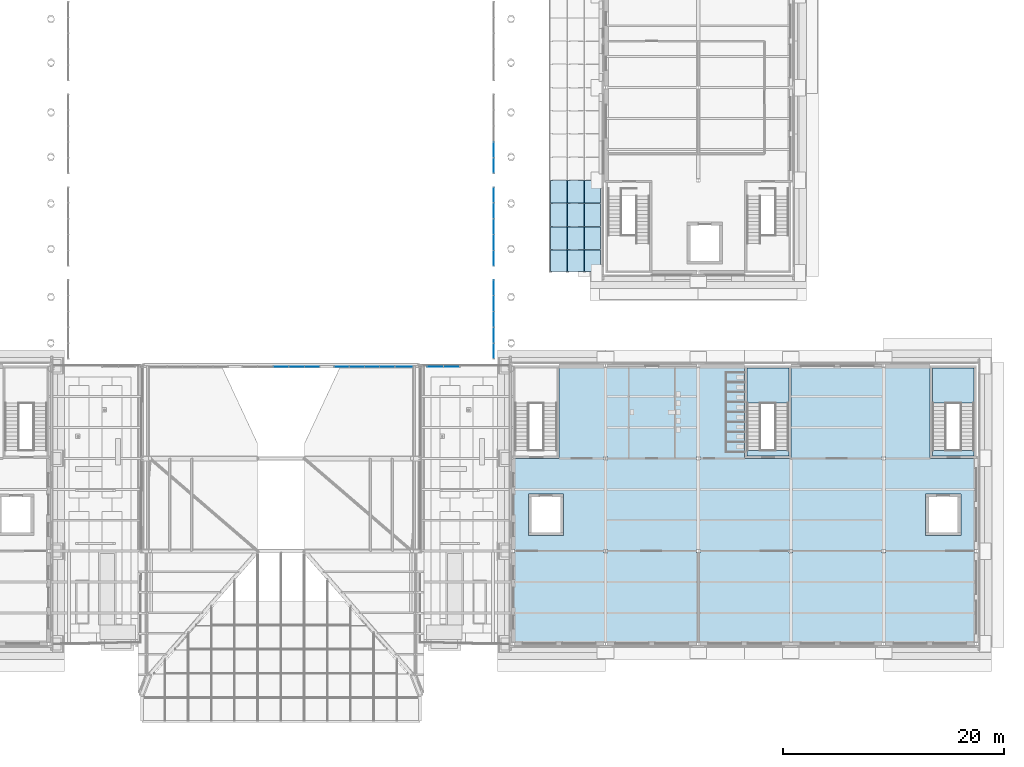
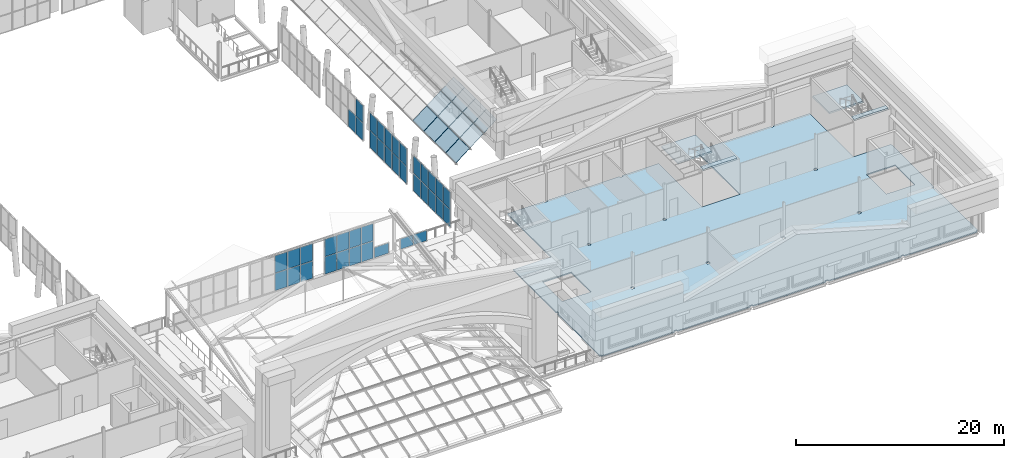
# One storey, part 36 of 76: 52 plates, 5 slabs, 9 elements without a shape of their own.
"""IFC4 building model written with IfcOpenShell, lengths in metres."""

from ifc_helpers import new_model, si_unit, direction, frame, origin, origin_2d, place, context, subcontext, project, spatial, polyline, rectangle, outline, extrude, material, layer, layer_set, type_object, element, aggregate, save


model = new_model("IFC4")

# Units and contexts
model_context = context("Model", 3, precision=1e-05, world=origin(), true_north=direction((0.0, 1.0)))
body_context = subcontext(model_context, "Body", "Model", "MODEL_VIEW")
ifc_project = project(units=[si_unit("LENGTHUNIT", "METRE"), si_unit("AREAUNIT", "SQUARE_METRE"), si_unit("VOLUMEUNIT", "CUBIC_METRE"), si_unit("PLANEANGLEUNIT", "RADIAN"), si_unit("MASSUNIT", "GRAM", prefix="KILO")], contexts=[model_context])

# Site, building, storey
site_placement = place(None, origin())
site = spatial("IfcSite", under=ifc_project, at=site_placement, CompositionType="ELEMENT")
building_placement = place(site_placement, origin())
building = spatial("IfcBuilding", under=site, at=building_placement, Name="Sava Quay Ferry Terminal", CompositionType="ELEMENT")
storey_placement = place(building_placement, frame((0.0, 0.0, 10.800048828125)))
storey = spatial("IfcBuildingStorey", under=building, at=storey_placement, Name="L02", CompositionType="ELEMENT", Elevation=10.800048828125)

# Slab
ifc_material_1 = material(Name="Concrete C30/37", Category="concrete")
ifc_layer_1 = layer(ifc_material_1, 0.1298828125)
ifc_layer_set_1 = layer_set([ifc_layer_1], Name="Concrete C30/37")
slab_type_1 = type_object("IfcSlabType", Name="Composite floor slab 130", PredefinedType="FLOOR", material=ifc_layer_set_1)
slab_1_placement = place(storey_placement, frame((0.0, 0.0, -0.130126953125)))
element("IfcSlab", 1, at=slab_1_placement, inside=storey, type_object=slab_type_1, Name="P floor slab L02", PredefinedType="FLOOR", context=body_context, shape_type="SweptSolid", body=[
    extrude(outline(polyline([(125.840087890625, 25.360107421875), (125.840087890625, 25.199951171875), (117.760009765625, 25.199951171875), (117.760009765625, 25.360107421875), (117.43994140625, 25.360107421875), (117.43994140625, 25.199951171875), (109.360107421875, 25.199951171875), (109.360107421875, 25.360107421875), (109.0400390625, 25.360107421875), (109.0400390625, 25.199951171875), (100.9599609375, 25.199951171875), (100.9599609375, 25.360107421875), (100.639892578125, 25.360107421875), (100.639892578125, 25.199951171875), (92.56005859375, 25.199951171875), (92.56005859375, 25.360107421875), (92.239990234375, 25.360107421875), (92.239990234375, 25.199951171875), (84.139892578125, 25.199951171875), (84.139892578125, 25.340087890625), (84.0, 25.340087890625), (84.0, 33.4599609375), (84.139892578125, 33.4599609375), (84.139892578125, 33.739990234375), (84.0, 33.739990234375), (84.0, 42.0), (88.199951171875, 42.0), (88.199951171875, 50.39990234375), (92.239990234375, 50.39990234375), (92.239990234375, 50.239990234375), (92.56005859375, 50.239990234375), (92.56005859375, 50.39990234375), (100.639892578125, 50.39990234375), (100.639892578125, 50.239990234375), (100.9599609375, 50.239990234375), (100.9599609375, 50.39990234375), (105.0, 50.39990234375), (105.0, 42.0), (109.199951171875, 42.0), (109.199951171875, 50.39990234375), (117.43994140625, 50.39990234375), (117.43994140625, 50.239990234375), (117.760009765625, 50.239990234375), (117.760009765625, 50.39990234375), (121.800048828125, 50.39990234375), (121.800048828125, 42.0), (126.0, 42.0), (126.0, 33.760009765625), (125.840087890625, 33.760009765625), (125.840087890625, 33.43994140625), (126.0, 33.43994140625), (126.0, 25.360107421875), (125.840087890625, 25.360107421875)]), holes=[polyline([(92.239990234375, 33.43994140625), (92.56005859375, 33.43994140625), (92.56005859375, 33.760009765625), (92.239990234375, 33.760009765625), (92.239990234375, 33.43994140625)]), polyline([(88.60009765625, 35.0), (88.60009765625, 38.800048828125), (85.39990234375, 38.800048828125), (85.39990234375, 35.0), (88.60009765625, 35.0)]), polyline([(100.639892578125, 41.840087890625), (100.9599609375, 41.840087890625), (100.9599609375, 42.159912109375), (100.639892578125, 42.159912109375), (100.639892578125, 41.840087890625)]), polyline([(92.239990234375, 41.840087890625), (92.56005859375, 41.840087890625), (92.56005859375, 42.159912109375), (92.239990234375, 42.159912109375), (92.239990234375, 41.840087890625)]), polyline([(100.639892578125, 33.43994140625), (100.9599609375, 33.43994140625), (100.9599609375, 33.760009765625), (100.639892578125, 33.760009765625), (100.639892578125, 33.43994140625)]), polyline([(117.760009765625, 33.43994140625), (117.760009765625, 33.760009765625), (117.43994140625, 33.760009765625), (117.43994140625, 33.43994140625), (117.760009765625, 33.43994140625)]), polyline([(109.0400390625, 33.43994140625), (109.360107421875, 33.43994140625), (109.360107421875, 33.760009765625), (109.0400390625, 33.760009765625), (109.0400390625, 33.43994140625)]), polyline([(121.39990234375, 35.0), (124.60009765625, 35.0), (124.60009765625, 38.800048828125), (121.39990234375, 38.800048828125), (121.39990234375, 35.0)]), polyline([(117.760009765625, 41.840087890625), (117.760009765625, 42.159912109375), (117.43994140625, 42.159912109375), (117.43994140625, 41.840087890625), (117.760009765625, 41.840087890625)])]), origin(), (0.0, 0.0, 1.0), 0.130126953125),
])

# Curtain wall, plates
ifc_material_2 = material(Name="Aluminium and glass curtain wall, double low-e glazed", Category="aluminium")
curtain_wall_type_1 = type_object("IfcCurtainWallType", Name="Curtain wall CW-F flank", PredefinedType="NOTDEFINED", material=ifc_material_2)
curtain_wall_1_placement = place(storey_placement, origin())
curtain_wall_1 = element("IfcCurtainWall", 2, at=curtain_wall_1_placement, inside=storey, type_object=curtain_wall_type_1, Name="Curtain wall D-E L02 bay 1", PredefinedType="NOTDEFINED")
ifc_material_3 = material(Name="Laminated glass, double low-e glazed unit", Category="glass")
ifc_layer_2 = layer(ifc_material_3, 0.028076171875)
ifc_layer_set_2 = layer_set([ifc_layer_2], Name="Laminated glass, double low-e glazed unit")
plate_type_1 = type_object("IfcPlateType", Name="Glass panel 28 double low-e", PredefinedType="CURTAIN_PANEL", material=ifc_layer_set_2)
plate_1_placement = place(storey_placement, frame((82.27490234375, 51.735107421875, 0.050048828125), z_axis=(0.0, 0.0, 1.0), x_axis=(0.0, 1.0, 0.0)))
plate_1 = element("IfcPlate", 3, at=plate_1_placement, type_object=plate_type_1, Name="CW38 panel 1.1", PredefinedType="CURTAIN_PANEL", context=body_context, shape_type="SweptSolid", body=[
    extrude(rectangle(XDim=1.35009765625, YDim=0.028076171875, at=origin_2d()), origin(), (0.0, 0.0, 1.0), 2.02490234375),
])
plate_2_placement = place(storey_placement, frame((82.27490234375, 51.735107421875, 2.125), z_axis=(0.0, 0.0, 1.0), x_axis=(0.0, 1.0, 0.0)))
plate_2 = element("IfcPlate", 4, at=plate_2_placement, type_object=plate_type_1, Name="CW38 panel 1.2", PredefinedType="CURTAIN_PANEL", context=body_context, shape_type="SweptSolid", body=[
    extrude(rectangle(XDim=1.35009765625, YDim=0.028076171875, at=origin_2d()), origin(), (0.0, 0.0, 1.0), 2.02490234375),
])
plate_3_placement = place(storey_placement, frame((82.27490234375, 53.159912109375, 0.050048828125), z_axis=(0.0, 0.0, 1.0), x_axis=(0.0, 1.0, 0.0)))
plate_3 = element("IfcPlate", 5, at=plate_3_placement, type_object=plate_type_1, Name="CW38 panel 2.1", PredefinedType="CURTAIN_PANEL", context=body_context, shape_type="SweptSolid", body=[
    extrude(rectangle(XDim=1.3798828125, YDim=0.028076171875, at=origin_2d()), origin(), (0.0, 0.0, 1.0), 2.02490234375),
])
plate_4_placement = place(storey_placement, frame((82.27490234375, 53.159912109375, 2.125), z_axis=(0.0, 0.0, 1.0), x_axis=(0.0, 1.0, 0.0)))
plate_4 = element("IfcPlate", 6, at=plate_4_placement, type_object=plate_type_1, Name="CW38 panel 2.2", PredefinedType="CURTAIN_PANEL", context=body_context, shape_type="SweptSolid", body=[
    extrude(rectangle(XDim=1.3798828125, YDim=0.028076171875, at=origin_2d()), origin(), (0.0, 0.0, 1.0), 2.02490234375),
])
plate_5_placement = place(storey_placement, frame((82.27490234375, 54.60009765625, 0.050048828125), z_axis=(0.0, 0.0, 1.0), x_axis=(0.0, 1.0, 0.0)))
plate_5 = element("IfcPlate", 7, at=plate_5_placement, type_object=plate_type_1, Name="CW38 panel 3.1", PredefinedType="CURTAIN_PANEL", context=body_context, shape_type="SweptSolid", body=[
    extrude(rectangle(XDim=1.3798828125, YDim=0.028076171875, at=origin_2d()), origin(), (0.0, 0.0, 1.0), 2.02490234375),
])
plate_6_placement = place(storey_placement, frame((82.27490234375, 54.60009765625, 2.125), z_axis=(0.0, 0.0, 1.0), x_axis=(0.0, 1.0, 0.0)))
plate_6 = element("IfcPlate", 8, at=plate_6_placement, type_object=plate_type_1, Name="CW38 panel 3.2", PredefinedType="CURTAIN_PANEL", context=body_context, shape_type="SweptSolid", body=[
    extrude(rectangle(XDim=1.3798828125, YDim=0.028076171875, at=origin_2d()), origin(), (0.0, 0.0, 1.0), 2.02490234375),
])
plate_7_placement = place(storey_placement, frame((82.27490234375, 56.0400390625, 0.050048828125), z_axis=(0.0, 0.0, 1.0), x_axis=(0.0, 1.0, 0.0)))
plate_7 = element("IfcPlate", 9, at=plate_7_placement, type_object=plate_type_1, Name="CW38 panel 4.1", PredefinedType="CURTAIN_PANEL", context=body_context, shape_type="SweptSolid", body=[
    extrude(rectangle(XDim=1.3798828125, YDim=0.028076171875, at=origin_2d()), origin(), (0.0, 0.0, 1.0), 2.02490234375),
])
plate_8_placement = place(storey_placement, frame((82.27490234375, 56.0400390625, 2.125), z_axis=(0.0, 0.0, 1.0), x_axis=(0.0, 1.0, 0.0)))
plate_8 = element("IfcPlate", 10, at=plate_8_placement, type_object=plate_type_1, Name="CW38 panel 4.2", PredefinedType="CURTAIN_PANEL", context=body_context, shape_type="SweptSolid", body=[
    extrude(rectangle(XDim=1.3798828125, YDim=0.028076171875, at=origin_2d()), origin(), (0.0, 0.0, 1.0), 2.02490234375),
])
plate_9_placement = place(storey_placement, frame((82.27490234375, 57.465087890625, 0.050048828125), z_axis=(0.0, 0.0, 1.0), x_axis=(0.0, 1.0, 0.0)))
plate_9 = element("IfcPlate", 11, at=plate_9_placement, type_object=plate_type_1, Name="CW38 panel 5.1", PredefinedType="CURTAIN_PANEL", context=body_context, shape_type="SweptSolid", body=[
    extrude(rectangle(XDim=1.35009765625, YDim=0.028076171875, at=origin_2d()), origin(), (0.0, 0.0, 1.0), 2.02490234375),
])
plate_10_placement = place(storey_placement, frame((82.27490234375, 57.465087890625, 2.125), z_axis=(0.0, 0.0, 1.0), x_axis=(0.0, 1.0, 0.0)))
plate_10 = element("IfcPlate", 12, at=plate_10_placement, type_object=plate_type_1, Name="CW38 panel 5.2", PredefinedType="CURTAIN_PANEL", context=body_context, shape_type="SweptSolid", body=[
    extrude(rectangle(XDim=1.35009765625, YDim=0.028076171875, at=origin_2d()), origin(), (0.0, 0.0, 1.0), 2.02490234375),
])
aggregate(curtain_wall_1, [plate_1, plate_2, plate_3, plate_4, plate_5, plate_6, plate_7, plate_8, plate_9, plate_10])

curtain_wall_2_placement = place(storey_placement, origin())
curtain_wall_2 = element("IfcCurtainWall", 13, at=curtain_wall_2_placement, inside=storey, type_object=curtain_wall_type_1, Name="Curtain wall D-E L02 bay 2", PredefinedType="NOTDEFINED")
plate_11_placement = place(storey_placement, frame((82.27490234375, 60.135009765625, 0.050048828125), z_axis=(0.0, 0.0, 1.0), x_axis=(0.0, 1.0, 0.0)))
plate_11 = element("IfcPlate", 14, at=plate_11_placement, type_object=plate_type_1, Name="CW42 panel 1.1", PredefinedType="CURTAIN_PANEL", context=body_context, shape_type="SweptSolid", body=[
    extrude(rectangle(XDim=1.35009765625, YDim=0.028076171875, at=origin_2d()), origin(), (0.0, 0.0, 1.0), 2.02490234375),
])
plate_12_placement = place(storey_placement, frame((82.27490234375, 60.135009765625, 2.125), z_axis=(0.0, 0.0, 1.0), x_axis=(0.0, 1.0, 0.0)))
plate_12 = element("IfcPlate", 15, at=plate_12_placement, type_object=plate_type_1, Name="CW42 panel 1.2", PredefinedType="CURTAIN_PANEL", context=body_context, shape_type="SweptSolid", body=[
    extrude(rectangle(XDim=1.35009765625, YDim=0.028076171875, at=origin_2d()), origin(), (0.0, 0.0, 1.0), 2.02490234375),
])
plate_13_placement = place(storey_placement, frame((82.27490234375, 61.56005859375, 0.050048828125), z_axis=(0.0, 0.0, 1.0), x_axis=(0.0, 1.0, 0.0)))
plate_13 = element("IfcPlate", 16, at=plate_13_placement, type_object=plate_type_1, Name="CW42 panel 2.1", PredefinedType="CURTAIN_PANEL", context=body_context, shape_type="SweptSolid", body=[
    extrude(rectangle(XDim=1.3798828125, YDim=0.028076171875, at=origin_2d()), origin(), (0.0, 0.0, 1.0), 2.02490234375),
])
plate_14_placement = place(storey_placement, frame((82.27490234375, 61.56005859375, 2.125), z_axis=(0.0, 0.0, 1.0), x_axis=(0.0, 1.0, 0.0)))
plate_14 = element("IfcPlate", 17, at=plate_14_placement, type_object=plate_type_1, Name="CW42 panel 2.2", PredefinedType="CURTAIN_PANEL", context=body_context, shape_type="SweptSolid", body=[
    extrude(rectangle(XDim=1.3798828125, YDim=0.028076171875, at=origin_2d()), origin(), (0.0, 0.0, 1.0), 2.02490234375),
])
plate_15_placement = place(storey_placement, frame((82.27490234375, 63.0, 0.050048828125), z_axis=(0.0, 0.0, 1.0), x_axis=(0.0, 1.0, 0.0)))
plate_15 = element("IfcPlate", 18, at=plate_15_placement, type_object=plate_type_1, Name="CW42 panel 3.1", PredefinedType="CURTAIN_PANEL", context=body_context, shape_type="SweptSolid", body=[
    extrude(rectangle(XDim=1.3798828125, YDim=0.028076171875, at=origin_2d()), origin(), (0.0, 0.0, 1.0), 2.02490234375),
])
plate_16_placement = place(storey_placement, frame((82.27490234375, 63.0, 2.125), z_axis=(0.0, 0.0, 1.0), x_axis=(0.0, 1.0, 0.0)))
plate_16 = element("IfcPlate", 19, at=plate_16_placement, type_object=plate_type_1, Name="CW42 panel 3.2", PredefinedType="CURTAIN_PANEL", context=body_context, shape_type="SweptSolid", body=[
    extrude(rectangle(XDim=1.3798828125, YDim=0.028076171875, at=origin_2d()), origin(), (0.0, 0.0, 1.0), 2.02490234375),
])
plate_17_placement = place(storey_placement, frame((82.27490234375, 64.43994140625, 0.050048828125), z_axis=(0.0, 0.0, 1.0), x_axis=(0.0, 1.0, 0.0)))
plate_17 = element("IfcPlate", 20, at=plate_17_placement, type_object=plate_type_1, Name="CW42 panel 4.1", PredefinedType="CURTAIN_PANEL", context=body_context, shape_type="SweptSolid", body=[
    extrude(rectangle(XDim=1.3798828125, YDim=0.028076171875, at=origin_2d()), origin(), (0.0, 0.0, 1.0), 2.02490234375),
])
plate_18_placement = place(storey_placement, frame((82.27490234375, 64.43994140625, 2.125), z_axis=(0.0, 0.0, 1.0), x_axis=(0.0, 1.0, 0.0)))
plate_18 = element("IfcPlate", 21, at=plate_18_placement, type_object=plate_type_1, Name="CW42 panel 4.2", PredefinedType="CURTAIN_PANEL", context=body_context, shape_type="SweptSolid", body=[
    extrude(rectangle(XDim=1.3798828125, YDim=0.028076171875, at=origin_2d()), origin(), (0.0, 0.0, 1.0), 2.02490234375),
])
plate_19_placement = place(storey_placement, frame((82.27490234375, 65.864990234375, 0.050048828125), z_axis=(0.0, 0.0, 1.0), x_axis=(0.0, 1.0, 0.0)))
plate_19 = element("IfcPlate", 22, at=plate_19_placement, type_object=plate_type_1, Name="CW42 panel 5.1", PredefinedType="CURTAIN_PANEL", context=body_context, shape_type="SweptSolid", body=[
    extrude(rectangle(XDim=1.35009765625, YDim=0.028076171875, at=origin_2d()), origin(), (0.0, 0.0, 1.0), 2.02490234375),
])
plate_20_placement = place(storey_placement, frame((82.27490234375, 65.864990234375, 2.125), z_axis=(0.0, 0.0, 1.0), x_axis=(0.0, 1.0, 0.0)))
plate_20 = element("IfcPlate", 23, at=plate_20_placement, type_object=plate_type_1, Name="CW42 panel 5.2", PredefinedType="CURTAIN_PANEL", context=body_context, shape_type="SweptSolid", body=[
    extrude(rectangle(XDim=1.35009765625, YDim=0.028076171875, at=origin_2d()), origin(), (0.0, 0.0, 1.0), 2.02490234375),
])
aggregate(curtain_wall_2, [plate_11, plate_12, plate_13, plate_14, plate_15, plate_16, plate_17, plate_18, plate_19, plate_20])

curtain_wall_3_placement = place(storey_placement, origin())
curtain_wall_3 = element("IfcCurtainWall", 24, at=curtain_wall_3_placement, inside=storey, type_object=curtain_wall_type_1, Name="Curtain wall D-E L02 bay 3", PredefinedType="NOTDEFINED")
plate_21_placement = place(storey_placement, frame((82.27490234375, 68.534912109375, 0.050048828125), z_axis=(0.0, 0.0, 1.0), x_axis=(0.0, 1.0, 0.0)))
plate_21 = element("IfcPlate", 25, at=plate_21_placement, type_object=plate_type_1, Name="CW46 panel 1.1", PredefinedType="CURTAIN_PANEL", context=body_context, shape_type="SweptSolid", body=[
    extrude(rectangle(XDim=1.35009765625, YDim=0.028076171875, at=origin_2d()), origin(), (0.0, 0.0, 1.0), 2.02490234375),
])
plate_22_placement = place(storey_placement, frame((82.27490234375, 68.534912109375, 2.125), z_axis=(0.0, 0.0, 1.0), x_axis=(0.0, 1.0, 0.0)))
plate_22 = element("IfcPlate", 26, at=plate_22_placement, type_object=plate_type_1, Name="CW46 panel 1.2", PredefinedType="CURTAIN_PANEL", context=body_context, shape_type="SweptSolid", body=[
    extrude(rectangle(XDim=1.35009765625, YDim=0.028076171875, at=origin_2d()), origin(), (0.0, 0.0, 1.0), 2.02490234375),
])
plate_23_placement = place(storey_placement, frame((82.27490234375, 69.9599609375, 0.050048828125), z_axis=(0.0, 0.0, 1.0), x_axis=(0.0, 1.0, 0.0)))
plate_23 = element("IfcPlate", 27, at=plate_23_placement, type_object=plate_type_1, Name="CW46 panel 2.1", PredefinedType="CURTAIN_PANEL", context=body_context, shape_type="SweptSolid", body=[
    extrude(rectangle(XDim=1.3798828125, YDim=0.028076171875, at=origin_2d()), origin(), (0.0, 0.0, 1.0), 2.02490234375),
])
aggregate(curtain_wall_3, [plate_21, plate_22, plate_23])

ifc_material_4 = material(Name="Aluminium and glass curtain wall, double low-e glazed", Category="aluminium")
curtain_wall_type_2 = type_object("IfcCurtainWallType", Name="Curtain wall CW-G gable", PredefinedType="NOTDEFINED", material=ifc_material_4)
curtain_wall_4_placement = place(storey_placement, origin())
curtain_wall_4 = element("IfcCurtainWall", 28, at=curtain_wall_4_placement, inside=storey, type_object=curtain_wall_type_2, Name="Curtain wall D-S L02 bay 31", PredefinedType="NOTDEFINED")
plate_24_placement = place(storey_placement, frame((63.0, 50.31494140625, 0.050048828125), z_axis=(0.0, 0.0, 1.0), x_axis=(1.0, 0.0, 0.0)))
plate_24 = element("IfcPlate", 29, at=plate_24_placement, type_object=plate_type_1, Name="CW91 panel 3.1", PredefinedType="CURTAIN_PANEL", context=body_context, shape_type="SweptSolid", body=[
    extrude(rectangle(XDim=1.35205078125, YDim=0.028076171875, at=origin_2d()), origin(), (0.0, 0.0, 1.0), 2.02490234375),
])
plate_25_placement = place(storey_placement, frame((63.0, 50.31494140625, 2.125), z_axis=(0.0, 0.0, 1.0), x_axis=(1.0, 0.0, 0.0)))
plate_25 = element("IfcPlate", 30, at=plate_25_placement, type_object=plate_type_1, Name="CW91 panel 3.2", PredefinedType="CURTAIN_PANEL", context=body_context, shape_type="SweptSolid", body=[
    extrude(rectangle(XDim=1.35205078125, YDim=0.028076171875, at=origin_2d()), origin(), (0.0, 0.0, 1.0), 2.02490234375),
])
plate_26_placement = place(storey_placement, frame((64.412109375, 50.31494140625, 0.050048828125), z_axis=(0.0, 0.0, 1.0), x_axis=(1.0, 0.0, 0.0)))
plate_26 = element("IfcPlate", 31, at=plate_26_placement, type_object=plate_type_1, Name="CW91 panel 4.1", PredefinedType="CURTAIN_PANEL", context=body_context, shape_type="SweptSolid", body=[
    extrude(rectangle(XDim=1.35205078125, YDim=0.028076171875, at=origin_2d()), origin(), (0.0, 0.0, 1.0), 2.02490234375),
])
plate_27_placement = place(storey_placement, frame((64.412109375, 50.31494140625, 2.125), z_axis=(0.0, 0.0, 1.0), x_axis=(1.0, 0.0, 0.0)))
plate_27 = element("IfcPlate", 32, at=plate_27_placement, type_object=plate_type_1, Name="CW91 panel 4.2", PredefinedType="CURTAIN_PANEL", context=body_context, shape_type="SweptSolid", body=[
    extrude(rectangle(XDim=1.35205078125, YDim=0.028076171875, at=origin_2d()), origin(), (0.0, 0.0, 1.0), 2.02490234375),
])
plate_28_placement = place(storey_placement, frame((65.80908203125, 50.31494140625, 0.050048828125), z_axis=(0.0, 0.0, 1.0), x_axis=(1.0, 0.0, 0.0)))
plate_28 = element("IfcPlate", 33, at=plate_28_placement, type_object=plate_type_1, Name="CW91 panel 5.1", PredefinedType="CURTAIN_PANEL", context=body_context, shape_type="SweptSolid", body=[
    extrude(rectangle(XDim=1.322021484375, YDim=0.028076171875, at=origin_2d()), origin(), (0.0, 0.0, 1.0), 2.02490234375),
])
plate_29_placement = place(storey_placement, frame((65.80908203125, 50.31494140625, 2.125), z_axis=(0.0, 0.0, 1.0), x_axis=(1.0, 0.0, 0.0)))
plate_29 = element("IfcPlate", 34, at=plate_29_placement, type_object=plate_type_1, Name="CW91 panel 5.2", PredefinedType="CURTAIN_PANEL", context=body_context, shape_type="SweptSolid", body=[
    extrude(rectangle(XDim=1.322021484375, YDim=0.028076171875, at=origin_2d()), origin(), (0.0, 0.0, 1.0), 2.02490234375),
])
aggregate(curtain_wall_4, [plate_24, plate_25, plate_26, plate_27, plate_28, plate_29])

curtain_wall_5_placement = place(storey_placement, origin())
curtain_wall_5 = element("IfcCurtainWall", 35, at=curtain_wall_5_placement, inside=storey, type_object=curtain_wall_type_2, Name="Curtain wall D-S L02 bay 41", PredefinedType="NOTDEFINED")
plate_30_placement = place(storey_placement, frame((68.50244140625, 50.31494140625, 0.050048828125), z_axis=(0.0, 0.0, 1.0), x_axis=(1.0, 0.0, 0.0)))
plate_30 = element("IfcPlate", 36, at=plate_30_placement, type_object=plate_type_1, Name="CW93 panel 1.1", PredefinedType="CURTAIN_PANEL", context=body_context, shape_type="SweptSolid", body=[
    extrude(rectangle(XDim=1.284912109375, YDim=0.028076171875, at=origin_2d()), origin(), (0.0, 0.0, 1.0), 2.02490234375),
])
plate_31_placement = place(storey_placement, frame((68.50244140625, 50.31494140625, 2.125), z_axis=(0.0, 0.0, 1.0), x_axis=(1.0, 0.0, 0.0)))
plate_31 = element("IfcPlate", 37, at=plate_31_placement, type_object=plate_type_1, Name="CW93 panel 1.2", PredefinedType="CURTAIN_PANEL", context=body_context, shape_type="SweptSolid", body=[
    extrude(rectangle(XDim=1.284912109375, YDim=0.028076171875, at=origin_2d()), origin(), (0.0, 0.0, 1.0), 2.02490234375),
])
plate_32_placement = place(storey_placement, frame((69.862548828125, 50.31494140625, 0.050048828125), z_axis=(0.0, 0.0, 1.0), x_axis=(1.0, 0.0, 0.0)))
plate_32 = element("IfcPlate", 38, at=plate_32_placement, type_object=plate_type_1, Name="CW93 panel 2.1", PredefinedType="CURTAIN_PANEL", context=body_context, shape_type="SweptSolid", body=[
    extrude(rectangle(XDim=1.31494140625, YDim=0.028076171875, at=origin_2d()), origin(), (0.0, 0.0, 1.0), 2.02490234375),
])
plate_33_placement = place(storey_placement, frame((69.862548828125, 50.31494140625, 2.125), z_axis=(0.0, 0.0, 1.0), x_axis=(1.0, 0.0, 0.0)))
plate_33 = element("IfcPlate", 39, at=plate_33_placement, type_object=plate_type_1, Name="CW93 panel 2.2", PredefinedType="CURTAIN_PANEL", context=body_context, shape_type="SweptSolid", body=[
    extrude(rectangle(XDim=1.31494140625, YDim=0.028076171875, at=origin_2d()), origin(), (0.0, 0.0, 1.0), 2.02490234375),
])
plate_34_placement = place(storey_placement, frame((71.237548828125, 50.31494140625, 0.050048828125), z_axis=(0.0, 0.0, 1.0), x_axis=(1.0, 0.0, 0.0)))
plate_34 = element("IfcPlate", 40, at=plate_34_placement, type_object=plate_type_1, Name="CW93 panel 3.1", PredefinedType="CURTAIN_PANEL", context=body_context, shape_type="SweptSolid", body=[
    extrude(rectangle(XDim=1.31494140625, YDim=0.028076171875, at=origin_2d()), origin(), (0.0, 0.0, 1.0), 2.02490234375),
])
plate_35_placement = place(storey_placement, frame((71.237548828125, 50.31494140625, 2.125), z_axis=(0.0, 0.0, 1.0), x_axis=(1.0, 0.0, 0.0)))
plate_35 = element("IfcPlate", 41, at=plate_35_placement, type_object=plate_type_1, Name="CW93 panel 3.2", PredefinedType="CURTAIN_PANEL", context=body_context, shape_type="SweptSolid", body=[
    extrude(rectangle(XDim=1.31494140625, YDim=0.028076171875, at=origin_2d()), origin(), (0.0, 0.0, 1.0), 2.02490234375),
])
plate_36_placement = place(storey_placement, frame((72.597412109375, 50.31494140625, 0.050048828125), z_axis=(0.0, 0.0, 1.0), x_axis=(1.0, 0.0, 0.0)))
plate_36 = element("IfcPlate", 42, at=plate_36_placement, type_object=plate_type_1, Name="CW93 panel 4.1", PredefinedType="CURTAIN_PANEL", context=body_context, shape_type="SweptSolid", body=[
    extrude(rectangle(XDim=1.284912109375, YDim=0.028076171875, at=origin_2d()), origin(), (0.0, 0.0, 1.0), 2.02490234375),
])
plate_37_placement = place(storey_placement, frame((72.597412109375, 50.31494140625, 2.125), z_axis=(0.0, 0.0, 1.0), x_axis=(1.0, 0.0, 0.0)))
plate_37 = element("IfcPlate", 43, at=plate_37_placement, type_object=plate_type_1, Name="CW93 panel 4.2", PredefinedType="CURTAIN_PANEL", context=body_context, shape_type="SweptSolid", body=[
    extrude(rectangle(XDim=1.284912109375, YDim=0.028076171875, at=origin_2d()), origin(), (0.0, 0.0, 1.0), 2.02490234375),
])
aggregate(curtain_wall_5, [plate_30, plate_31, plate_32, plate_33, plate_34, plate_35, plate_36, plate_37])

# Curtain wall, plate
curtain_wall_6_placement = place(storey_placement, origin())
curtain_wall_6 = element("IfcCurtainWall", 44, at=curtain_wall_6_placement, inside=storey, type_object=curtain_wall_type_2, Name="Curtain wall D-S L02 bay 51", PredefinedType="NOTDEFINED")
plate_38_placement = place(storey_placement, frame((74.14990234375, 50.31494140625, 0.0498046875), z_axis=(0.0, 0.0, 1.0), x_axis=(1.0, 0.0, 0.0)))
plate_38 = element("IfcPlate", 45, at=plate_38_placement, type_object=plate_type_1, Name="CW94 panel 1.1", PredefinedType="CURTAIN_PANEL", context=body_context, shape_type="SweptSolid", body=[
    extrude(rectangle(XDim=1.580078125, YDim=0.028076171875, at=origin_2d()), origin(), (0.0, 0.0, 1.0), 1.199951171875),
])
aggregate(curtain_wall_6, [plate_38])

# Curtain wall, plates
curtain_wall_7_placement = place(storey_placement, origin())
curtain_wall_7 = element("IfcCurtainWall", 46, at=curtain_wall_7_placement, inside=storey, type_object=curtain_wall_type_2, Name="Curtain wall D-S L02 bay 52", PredefinedType="NOTDEFINED")
plate_39_placement = place(storey_placement, frame((76.969970703125, 50.31494140625, 0.0498046875), z_axis=(0.0, 0.0, 1.0), x_axis=(1.0, 0.0, 0.0)))
plate_39 = element("IfcPlate", 47, at=plate_39_placement, type_object=plate_type_1, Name="CW95 panel 1.1", PredefinedType="CURTAIN_PANEL", context=body_context, shape_type="SweptSolid", body=[
    extrude(rectangle(XDim=1.419921875, YDim=0.028076171875, at=origin_2d()), origin(), (0.0, 0.0, 1.0), 1.199951171875),
])
plate_40_placement = place(storey_placement, frame((78.449951171875, 50.31494140625, 0.0498046875), z_axis=(0.0, 0.0, 1.0), x_axis=(1.0, 0.0, 0.0)))
plate_40 = element("IfcPlate", 48, at=plate_40_placement, type_object=plate_type_1, Name="CW95 panel 2.1", PredefinedType="CURTAIN_PANEL", context=body_context, shape_type="SweptSolid", body=[
    extrude(rectangle(XDim=1.419921875, YDim=0.028076171875, at=origin_2d()), origin(), (0.0, 0.0, 1.0), 1.199951171875),
])
aggregate(curtain_wall_7, [plate_39, plate_40])

# Plates
ifc_material_5 = material(Name="Laminated glass", Category="glass")
ifc_layer_3 = layer(ifc_material_5, 0.0400390625)
ifc_layer_set_3 = layer_set([ifc_layer_3], Name="Laminated glass")
plate_type_2 = type_object("IfcPlateType", Name="Skylight glass 40", PredefinedType="SHEET", material=ifc_layer_set_3)
for number, where, z_axis, x_axis, name in (
    (49, (87.39599609375, 67.179931640625, 1.029296875), (-0.617810385509, 0.0, 0.786327112312), (0.786327112312, 0.0, 0.617810385509), "Passage roof glass PS-F-K20.2"),
    (50, (88.946044921875, 67.179931640625, 2.247314453125), (-0.617810385509, 0.0, 0.786327112312), (0.786327112312, 0.0, 0.617810385509), "Passage roof glass PS-F-K20.3"),
):
    element("IfcPlate", number, at=place(storey_placement, frame(where, z_axis=z_axis, x_axis=x_axis)), inside=storey, type_object=plate_type_2, Name=name, PredefinedType="SHEET", context=body_context, shape_type="SweptSolid", body=[
        extrude(outline(polyline([(0.0, 0.0), (1.9311997052158885, 0.0), (1.9311997052158885, -2.059814453125), (0.0, -2.059814453125), (0.0, 0.0)])), origin(), (0.0, 0.0, -1.0), 0.0400390625),
    ])
plate_41_placement = place(storey_placement, frame((90.495849609375, 65.1201171875, 3.465087890625), z_axis=(-0.617821551932, 0.0, 0.786318338822), x_axis=(0.0, 1.0, 0.0)))
element("IfcPlate", 51, at=plate_41_placement, inside=storey, type_object=plate_type_2, Name="Passage roof glass PS-F-K20.4", PredefinedType="SHEET", context=body_context, shape_type="SweptSolid", body=[
    extrude(outline(polyline([(0.0, 0.0), (2.059814453125, 0.0), (2.059814453125, -1.816962503557546), (0.0, -1.816962503557546), (0.0, 0.0)])), origin(), (0.0, 0.0, -1.0), 0.0400390625),
])
for number, where, z_axis, x_axis, name in (
    (52, (87.39599609375, 65.080078125, 1.029296875), (-0.617810385509, 0.0, 0.786327112312), (0.786327112312, 0.0, 0.617810385509), "Passage roof glass PS-F-K21.2"),
    (53, (88.946044921875, 65.080078125, 2.247314453125), (-0.617810385509, 0.0, 0.786327112312), (0.786327112312, 0.0, 0.617810385509), "Passage roof glass PS-F-K21.3"),
):
    element("IfcPlate", number, at=place(storey_placement, frame(where, z_axis=z_axis, x_axis=x_axis)), inside=storey, type_object=plate_type_2, Name=name, PredefinedType="SHEET", context=body_context, shape_type="SweptSolid", body=[
        extrude(outline(polyline([(0.0, 0.0), (1.9311997052158885, 0.0), (1.9311997052158885, -2.06005859375), (0.0, -2.06005859375), (0.0, 0.0)])), origin(), (0.0, 0.0, -1.0), 0.0400390625),
    ])
plate_42_placement = place(storey_placement, frame((90.495849609375, 63.02001953125, 3.465087890625), z_axis=(-0.617821551932, 0.0, 0.786318338822), x_axis=(0.0, 1.0, 0.0)))
element("IfcPlate", 54, at=plate_42_placement, inside=storey, type_object=plate_type_2, Name="Passage roof glass PS-F-K21.4", PredefinedType="SHEET", context=body_context, shape_type="SweptSolid", body=[
    extrude(outline(polyline([(0.0, 0.0), (2.06005859375, 0.0), (2.06005859375, -1.8169625035575463), (0.0, -1.8169625035575463), (0.0, 0.0)])), origin(), (0.0, 0.0, -1.0), 0.0400390625),
])
for number, where, z_axis, x_axis, name in (
    (55, (87.39599609375, 62.97998046875, 1.029296875), (-0.617810385509, 0.0, 0.786327112312), (0.786327112312, 0.0, 0.617810385509), "Passage roof glass PS-F-K22.2"),
    (56, (88.946044921875, 62.97998046875, 2.247314453125), (-0.617810385509, 0.0, 0.786327112312), (0.786327112312, 0.0, 0.617810385509), "Passage roof glass PS-F-K22.3"),
):
    element("IfcPlate", number, at=place(storey_placement, frame(where, z_axis=z_axis, x_axis=x_axis)), inside=storey, type_object=plate_type_2, Name=name, PredefinedType="SHEET", context=body_context, shape_type="SweptSolid", body=[
        extrude(outline(polyline([(0.0, 0.0), (1.9311997052158885, 0.0), (1.9311997052158885, -2.06005859375), (0.0, -2.06005859375), (0.0, 0.0)])), origin(), (0.0, 0.0, -1.0), 0.0400390625),
    ])
plate_43_placement = place(storey_placement, frame((90.495849609375, 60.919921875, 3.465087890625), z_axis=(-0.617821551932, 0.0, 0.786318338822), x_axis=(0.0, 1.0, 0.0)))
element("IfcPlate", 57, at=plate_43_placement, inside=storey, type_object=plate_type_2, Name="Passage roof glass PS-F-K22.4", PredefinedType="SHEET", context=body_context, shape_type="SweptSolid", body=[
    extrude(outline(polyline([(0.0, 0.0), (2.06005859375, 0.0), (2.06005859375, -1.8169625035575463), (0.0, -1.8169625035575463), (0.0, 0.0)])), origin(), (0.0, 0.0, -1.0), 0.0400390625),
])
for number, where, z_axis, x_axis, name in (
    (58, (87.39599609375, 60.8798828125, 1.029296875), (-0.617810385509, 0.0, 0.786327112312), (0.786327112312, 0.0, 0.617810385509), "Passage roof glass PS-F-K23.2"),
    (59, (88.946044921875, 60.8798828125, 2.247314453125), (-0.617810385509, 0.0, 0.786327112312), (0.786327112312, 0.0, 0.617810385509), "Passage roof glass PS-F-K23.3"),
):
    element("IfcPlate", number, at=place(storey_placement, frame(where, z_axis=z_axis, x_axis=x_axis)), inside=storey, type_object=plate_type_2, Name=name, PredefinedType="SHEET", context=body_context, shape_type="SweptSolid", body=[
        extrude(outline(polyline([(0.0, 0.0), (1.9311997052158885, 0.0), (1.9311997052158885, -1.945556640625), (0.0, -1.945556640625), (0.0, 0.0)])), origin(), (0.0, 0.0, -1.0), 0.0400390625),
    ])
plate_44_placement = place(storey_placement, frame((90.495849609375, 60.8798828125, 3.465087890625), z_axis=(-0.617821551932, 0.0, 0.786318338822), x_axis=(0.786318338822, 0.0, 0.617821551932)))
element("IfcPlate", 60, at=plate_44_placement, inside=storey, type_object=plate_type_2, Name="Passage roof glass PS-F-K23.4", PredefinedType="SHEET", context=body_context, shape_type="SweptSolid", body=[
    extrude(outline(polyline([(0.0, 0.0), (1.8169625035575465, 0.0), (1.8169625035575465, -1.945556640625), (0.0, -1.945556640625), (0.0, 0.0)])), origin(), (0.0, 0.0, -1.0), 0.0400390625),
])

# Stair, slab
ifc_material_6 = material(Name="Concrete C30/37", Category="concrete")
stair_type = type_object("IfcStairType", Name="Stair 1200 half landing", PredefinedType="HALF_TURN_STAIR", material=ifc_material_6)
stair_1_placement = place(storey_placement, origin())
stair_1 = element("IfcStair", 61, at=stair_1_placement, inside=storey, type_object=stair_type, Name="Stair ST-P3 L02", PredefinedType="HALF_TURN_STAIR")
ifc_material_7 = material(Name="Concrete C30/37", Category="concrete")
ifc_layer_4 = layer(ifc_material_7, 0.199951171875)
ifc_layer_set_4 = layer_set([ifc_layer_4], Name="Concrete C30/37")
slab_type_2 = type_object("IfcSlabType", Name="Stair head floor 200", PredefinedType="FLOOR", material=ifc_layer_set_4)
slab_2_placement = place(storey_placement, frame((0.0, 0.0, 4.0)))
slab_2 = element("IfcSlab", 62, at=slab_2_placement, type_object=slab_type_2, Name="ST-P3 head floor L03", PredefinedType="FLOOR", context=body_context, shape_type="SweptSolid", body=[
    extrude(outline(polyline([(105.199951171875, 42.199951171875), (105.199951171875, 42.72998046875), (109.0, 42.72998046875), (109.0, 42.199951171875), (105.199951171875, 42.199951171875)])), origin(), (0.0, 0.0, 1.0), 0.199951171875),
])

stair_2_placement = place(storey_placement, origin())
stair_2 = element("IfcStair", 63, at=stair_2_placement, inside=storey, type_object=stair_type, Name="Stair ST-P2 L02", PredefinedType="HALF_TURN_STAIR")
slab_3_placement = place(storey_placement, frame((0.0, 0.0, 4.0)))
slab_3 = element("IfcSlab", 64, at=slab_3_placement, type_object=slab_type_2, Name="ST-P2 head floor L03", PredefinedType="FLOOR", context=body_context, shape_type="SweptSolid", body=[
    extrude(outline(polyline([(122.0, 42.199951171875), (122.0, 42.72998046875), (125.800048828125, 42.72998046875), (125.800048828125, 42.199951171875), (122.0, 42.199951171875)])), origin(), (0.0, 0.0, 1.0), 0.199951171875),
])

# Slab
ifc_material_8 = material(Name="Concrete C30/37", Category="concrete")
ifc_layer_5 = layer(ifc_material_8, 0.199951171875)
ifc_layer_set_5 = layer_set([ifc_layer_5], Name="Concrete C30/37")
slab_type_3 = type_object("IfcSlabType", Name="Stair landing 200", PredefinedType="LANDING", material=ifc_layer_set_5)
slab_4_placement = place(storey_placement, frame((0.0, 0.0, 1.89990234375)))
slab_4 = element("IfcSlab", 65, at=slab_4_placement, type_object=slab_type_3, Name="ST-P3 landing 1", PredefinedType="LANDING", context=body_context, shape_type="SweptSolid", body=[
    extrude(outline(polyline([(105.199951171875, 47.02001953125), (105.199951171875, 50.199951171875), (109.0, 50.199951171875), (109.0, 47.02001953125), (105.199951171875, 47.02001953125)])), origin(), (0.0, 0.0, 1.0), 0.199951171875),
])

aggregate(stair_1, [slab_4, slab_2])

slab_5_placement = place(storey_placement, frame((0.0, 0.0, 1.89990234375)))
slab_5 = element("IfcSlab", 66, at=slab_5_placement, type_object=slab_type_3, Name="ST-P2 landing 1", PredefinedType="LANDING", context=body_context, shape_type="SweptSolid", body=[
    extrude(outline(polyline([(122.0, 47.02001953125), (122.0, 50.199951171875), (125.800048828125, 50.199951171875), (125.800048828125, 47.02001953125), (122.0, 47.02001953125)])), origin(), (0.0, 0.0, 1.0), 0.199951171875),
])

aggregate(stair_2, [slab_5, slab_3])

save(model, "model.ifc")
